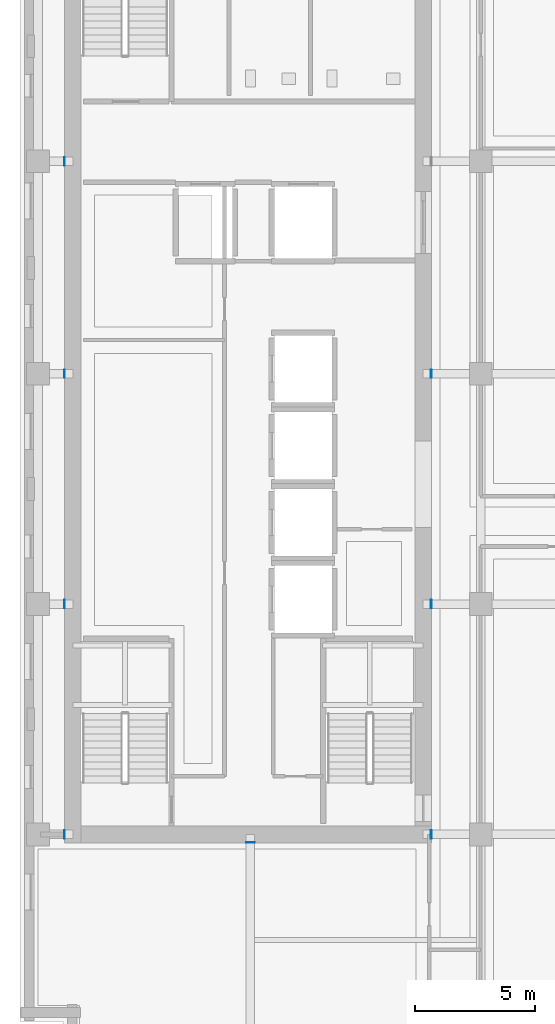
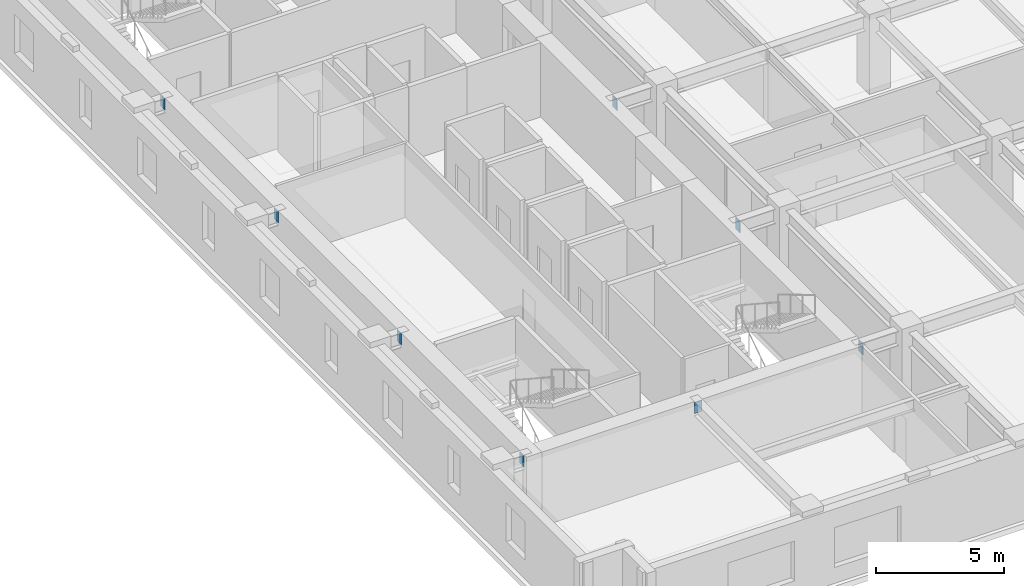
# One storey, part 9 of 16: 8 discrete accessories.
"""IFC4 building model written with IfcOpenShell, lengths in metres."""

from ifc_helpers import new_model, si_unit, direction, frame, origin, origin_2d, place, context, subcontext, project, spatial, rectangle, extrude, material, layer, layer_set, type_object, element, save


model = new_model("IFC4")

# Units and contexts
model_context = context("Model", 3, precision=1e-05, world=origin(), true_north=direction((0.0, 1.0)))
body_context = subcontext(model_context, "Body", "Model", "MODEL_VIEW")
ifc_project = project(units=[si_unit("LENGTHUNIT", "METRE"), si_unit("AREAUNIT", "SQUARE_METRE"), si_unit("VOLUMEUNIT", "CUBIC_METRE"), si_unit("PLANEANGLEUNIT", "RADIAN"), si_unit("MASSUNIT", "GRAM", prefix="KILO")], contexts=[model_context])

# Site, building, storey
site_placement = place(None, origin())
site = spatial("IfcSite", under=ifc_project, at=site_placement, CompositionType="ELEMENT")
building_placement = place(site_placement, origin())
building = spatial("IfcBuilding", under=site, at=building_placement, Name="Norrvale University Quadrangle", CompositionType="ELEMENT")
storey_placement = place(building_placement, frame((0.0, 0.0, 167.39990234375)))
storey = spatial("IfcBuildingStorey", under=building, at=storey_placement, Name="L42", CompositionType="ELEMENT", Elevation=167.39990234375)

# Discrete accessories
ifc_material = material(Name="Steel 350W", Category="steel")
ifc_layer = layer(ifc_material, 0.02490234375, Name="Steel 350W")
ifc_layer_set = layer_set([ifc_layer], Name="Steel 350W")
discrete_accessory_type = type_object("IfcDiscreteAccessoryType", Name="Accessory Cast In Embed Plate", PredefinedType="ANCHORPLATE", material=ifc_layer_set)
for number, where, z_axis, x_axis, name in (
    (1, (1.862548828125, 9.60009765625, 2.9599609375), (0.0, 0.0, 1.0), (1.0, 0.0, 0.0), "Core Wall Cast-in Embed Plate L42-GCW060"),
    (2, (17.137451171875, 9.60009765625, 2.9599609375), (0.0, 0.0, 1.0), (1.0, 0.0, 0.0), "Core Wall Cast-in Embed Plate L42-GCE061"),
    (3, (1.862548828125, 19.199951171875, 2.9599609375), (0.0, 0.0, 1.0), (1.0, 0.0, 0.0), "Core Wall Cast-in Embed Plate L42-GCW062"),
    (4, (17.137451171875, 19.199951171875, 2.9599609375), (0.0, 0.0, 1.0), (1.0, 0.0, 0.0), "Core Wall Cast-in Embed Plate L42-GCE063"),
    (5, (1.862548828125, 28.800048828125, 2.9599609375), (0.0, 0.0, 1.0), (1.0, 0.0, 0.0), "Core Wall Cast-in Embed Plate L42-GCW064"),
    (6, (17.137451171875, 28.800048828125, 2.9599609375), (0.0, 0.0, 1.0), (1.0, 0.0, 0.0), "Core Wall Cast-in Embed Plate L42-GCE065"),
    (7, (1.862548828125, 37.64990234375, 2.9599609375), (0.0, 0.0, 1.0), (1.0, 0.0, 0.0), "Core Wall Cast-in Embed Plate L42-GCW066"),
):
    element("IfcDiscreteAccessory", number, at=place(storey_placement, frame(where, z_axis=z_axis, x_axis=x_axis)), inside=storey, type_object=discrete_accessory_type, Name=name, PredefinedType="ANCHORPLATE", context=body_context, shape_type="SweptSolid", body=[
        extrude(rectangle(XDim=0.02490234375, YDim=0.35009765625, at=origin_2d()), origin(), (0.0, 0.0, 1.0), 0.5400390625),
    ])
discrete_accessory_placement = place(storey_placement, frame((9.60009765625, 9.262451171875, 2.9599609375), z_axis=(0.0, 0.0, 1.0), x_axis=(1.0, 0.0, 0.0)))
element("IfcDiscreteAccessory", 8, at=discrete_accessory_placement, inside=storey, type_object=discrete_accessory_type, Name="Core Wall Cast-in Embed Plate L42-GCS088", PredefinedType="ANCHORPLATE", context=body_context, shape_type="SweptSolid", body=[
    extrude(rectangle(XDim=0.35009765625, YDim=0.02490234375, at=origin_2d()), origin(), (0.0, 0.0, 1.0), 0.5400390625),
])

save(model, "model.ifc")
